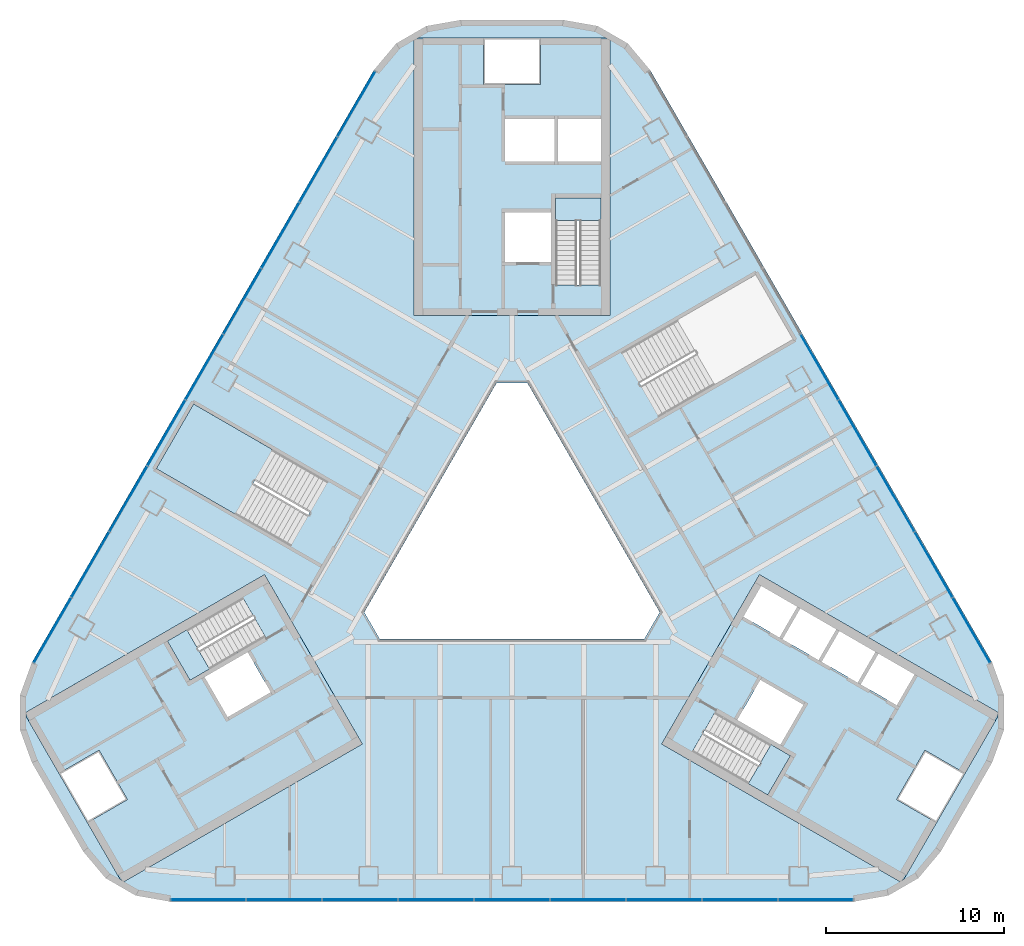
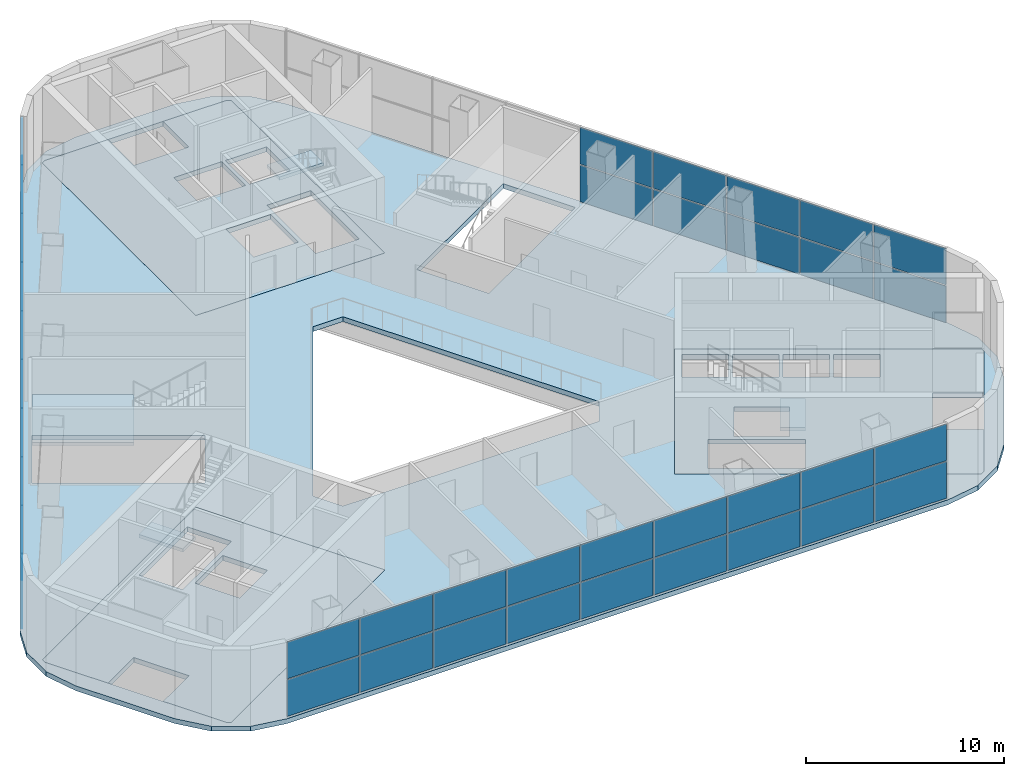
# One storey, part 6 of 13: 46 plates, 8 slabs, 7 elements without a shape of their own.
"""IFC4 building model written with IfcOpenShell, lengths in metres."""

import ifcopenshell
import ifcopenshell.guid

model = None  # the IFC model being written
_history = None  # IfcOwnerHistory: only IFC2X3 demands one
_inside = {}  # id of a spatial element -> (the spatial element, [elements in it])
_under = {}  # id of a project, library or spatial element -> (it, [spatial elements below it])
_declared = {}  # id of a project -> (the project, [libraries it declares])
_typed = {}  # id of a type object -> (the type object, [elements of that type])
_made_of = {}  # id of a material, layer set ... -> (it, [elements and type objects made of it])


def new_model(schema):
    """Start an empty IFC model of exactly this schema.

    Asked for "IFC4X3", IfcOpenShell would pick the latest addendum, in which some entities
    have other attributes; the version numbers below select the first issue.
    IFC2X3 requires an IfcOwnerHistory on every rooted entity: one is made here for all.
    """
    global model, _history
    if schema == "IFC4X3":
        model = ifcopenshell.file(schema_version=(4, 3, 0, 0))
    else:
        model = ifcopenshell.file(schema=schema)
    _inside.clear()
    _under.clear()
    _declared.clear()
    _typed.clear()
    _made_of.clear()
    _history = None
    if model.schema == "IFC2X3":
        org = make("IfcOrganization", Name="unknown")
        user = make(
            "IfcPersonAndOrganization",
            ThePerson=make("IfcPerson", FamilyName="unknown"),
            TheOrganization=org,
        )
        app = make(
            "IfcApplication",
            ApplicationDeveloper=org,
            Version="unknown",
            ApplicationFullName="unknown",
            ApplicationIdentifier="unknown",
        )
        _history = make(
            "IfcOwnerHistory",
            OwningUser=user,
            OwningApplication=app,
            ChangeAction="ADDED",
            CreationDate=0,
        )
    return model


def make(cls, **values):
    """One entity of the class cls with the attributes given. An attribute that is None is left unset."""
    return model.create_entity(
        cls, **{name: value for name, value in values.items() if value is not None}
    )


def rooted(cls, **values):
    """An entity with a GlobalId (a new one), such as an element, a storey or a relation."""
    return make(cls, GlobalId=ifcopenshell.guid.new(), OwnerHistory=_history, **values)


def si_unit(unit_type, name, prefix=None):
    """IfcSIUnit, for example si_unit("LENGTHUNIT", "METRE", prefix="MILLI")."""
    return make("IfcSIUnit", UnitType=unit_type, Prefix=prefix, Name=name)


def assignment(units):
    """IfcUnitAssignment: the units of a project."""
    return None if units is None else make("IfcUnitAssignment", Units=units)


def point(xyz):
    """IfcCartesianPoint."""
    return None if xyz is None else make("IfcCartesianPoint", Coordinates=xyz)


def direction(xyz):
    """IfcDirection."""
    return None if xyz is None else make("IfcDirection", DirectionRatios=xyz)


def frame(location, z_axis=None, x_axis=None):
    """IfcAxis2Placement3D, a coordinate frame: its origin and axes. An axis left out is left unset."""
    return make(
        "IfcAxis2Placement3D",
        Location=point(location),
        Axis=direction(z_axis),
        RefDirection=direction(x_axis),
    )


def frame_2d(location, x_axis=None):
    """IfcAxis2Placement2D, a coordinate frame in the plane: its origin and x axis."""
    return make(
        "IfcAxis2Placement2D", Location=point(location), RefDirection=direction(x_axis)
    )


def origin():
    """The frame at (0, 0, 0) with its axes left unset."""
    return frame((0.0, 0.0, 0.0))


def origin_2d():
    """The frame at (0, 0) in the plane with its x axis left unset."""
    return frame_2d((0.0, 0.0))


def place(relative_to, where):
    """IfcLocalPlacement: puts the frame where relative to a parent placement (None: the world)."""
    return make(
        "IfcLocalPlacement", PlacementRelTo=relative_to, RelativePlacement=where
    )


def context(
    kind, dimensions, precision=None, world=None, true_north=None, identifier=None
):
    """IfcGeometricRepresentationContext, for example the 3D "Model" context."""
    return make(
        "IfcGeometricRepresentationContext",
        ContextIdentifier=identifier,
        ContextType=kind,
        CoordinateSpaceDimension=dimensions,
        Precision=precision,
        WorldCoordinateSystem=world,
        TrueNorth=true_north,
    )


def subcontext(parent, identifier, kind, view, scale=None):
    """IfcGeometricRepresentationSubContext, for example "Body" below "Model"."""
    return make(
        "IfcGeometricRepresentationSubContext",
        ContextIdentifier=identifier,
        ContextType=kind,
        ParentContext=parent,
        TargetScale=scale,
        TargetView=view,
    )


def project(units=None, contexts=None):
    """IfcProject with its units and contexts."""
    return rooted(
        "IfcProject",
        Name="project",
        RepresentationContexts=contexts,
        UnitsInContext=assignment(units),
    )


def spatial(cls, under=None, at=None, **own):
    """A site, building, storey or space (cls), placed at a placement, below another one or the project."""
    s = rooted(cls, ObjectPlacement=at, **own)
    if under is not None:
        _under.setdefault(under.id(), (under, []))[1].append(s)
    return s


def polyline(points):
    """IfcPolyline through the points."""
    return make("IfcPolyline", Points=[point(p) for p in points])


def profile(cls, at=None, kind="AREA", **sizes):
    """A parametric profile (cls). Its sizes go by their IFC names, for example OverallWidth=200.0."""
    return make(cls, ProfileType=kind, Position=at, **sizes)


def rectangle(**sizes):
    """IfcRectangleProfileDef."""
    return profile("IfcRectangleProfileDef", **sizes)


def outline(outer, holes=None, kind="AREA"):
    """IfcArbitraryClosedProfileDef: a profile drawn as a closed curve; with holes, ...WithVoids."""
    if holes is None:
        return make("IfcArbitraryClosedProfileDef", ProfileType=kind, OuterCurve=outer)
    return make(
        "IfcArbitraryProfileDefWithVoids",
        ProfileType=kind,
        OuterCurve=outer,
        InnerCurves=holes,
    )


def extrude(swept, where, along, depth):
    """IfcExtrudedAreaSolid: the profile swept, set in the frame where, extruded along a direction by depth."""
    return make(
        "IfcExtrudedAreaSolid",
        SweptArea=swept,
        Position=where,
        ExtrudedDirection=direction(along),
        Depth=depth,
    )


def shape(context_of_items, identifier, shape_type, items):
    """IfcShapeRepresentation: the items that make up one representation, for example the "Body"."""
    return make(
        "IfcShapeRepresentation",
        ContextOfItems=context_of_items,
        RepresentationIdentifier=identifier,
        RepresentationType=shape_type,
        Items=items,
    )


def material(Name=None, Category=None):
    """IfcMaterial."""
    return make("IfcMaterial", Name=Name, Category=Category)


def layer(
    of_material, thickness, ventilated=None, Name=None, Category=None, Priority=None
):
    """IfcMaterialLayer: one layer of a wall or slab, of a material (None: an air gap)."""
    return make(
        "IfcMaterialLayer",
        Material=of_material,
        LayerThickness=thickness,
        IsVentilated=ventilated,
        Name=Name,
        Category=Category,
        Priority=Priority,
    )


def layer_set(layers, Name=None):
    """IfcMaterialLayerSet."""
    return make("IfcMaterialLayerSet", MaterialLayers=layers, LayerSetName=Name)


def made_of(thing, what):
    """Note that an element or type object is made of a material, layer set ...; save() writes the relation."""
    if what is not None:
        _made_of.setdefault(what.id(), (what, []))[1].append(thing)
    return thing


def type_object(cls, material=None, **own):
    """A type object (cls), such as IfcWallType, which elements share."""
    return made_of(rooted(cls, **own), material)


def element(
    cls,
    number,
    at=None,
    inside=None,
    cuts=None,
    type_object=None,
    material=None,
    context=None,
    identifier="Body",
    shape_type=None,
    held_by="IfcProductDefinitionShape",
    body=None,
    shapes=None,
    **own,
):
    """One element of the class cls, such as IfcWall. Its Tag is "e" and its number.

    at: its placement. inside: the storey or other place that contains it. cuts: it is an
    opening in that element (IfcRelVoidsElement). A single representation is given by context,
    identifier, shape_type and body (its items); several are given by shapes. held_by: the class
    of the entity that holds the representations. save() writes the other relations.
    """
    e = rooted(cls, Tag="e%d" % number, ObjectPlacement=at, **own)
    if body is not None:
        shapes = [shape(context, identifier, shape_type, body)]
    if shapes is not None:
        e.Representation = make(held_by, Representations=shapes)
    if inside is not None:
        _inside.setdefault(inside.id(), (inside, []))[1].append(e)
    if cuts is not None:
        rooted(
            "IfcRelVoidsElement", RelatingBuildingElement=cuts, RelatedOpeningElement=e
        )
    if type_object is not None:
        _typed.setdefault(type_object.id(), (type_object, []))[1].append(e)
    return made_of(e, material)


def aggregate(whole, parts):
    """IfcRelAggregates: a whole, such as a stair, and the parts it consists of."""
    return rooted("IfcRelAggregates", RelatingObject=whole, RelatedObjects=parts)


def save(model, path):
    """Write the relations noted so far, then the file.

    IfcRelAggregates (storeys below a building ...), IfcRelContainedInSpatialStructure (elements
    in a storey), IfcRelDefinesByType, IfcRelAssociatesMaterial and IfcRelDeclares: one each for
    every whole, place, type object, material and project.
    """
    for whole, parts in _under.values():
        aggregate(whole, parts)
    for where, things in _inside.values():
        rooted(
            "IfcRelContainedInSpatialStructure",
            RelatedElements=things,
            RelatingStructure=where,
        )
    for kind, things in _typed.values():
        rooted("IfcRelDefinesByType", RelatedObjects=things, RelatingType=kind)
    for what, things in _made_of.values():
        rooted("IfcRelAssociatesMaterial", RelatedObjects=things, RelatingMaterial=what)
    for by, libraries in _declared.values():
        rooted("IfcRelDeclares", RelatingContext=by, RelatedDefinitions=libraries)
    model.write(path)


model = new_model("IFC4")

# Units and contexts
model_context = context("Model", 3, precision=1e-05, world=origin(), true_north=direction((0.0, 1.0)))
body_context = subcontext(model_context, "Body", "Model", "MODEL_VIEW")
ifc_project = project(units=[si_unit("LENGTHUNIT", "METRE"), si_unit("AREAUNIT", "SQUARE_METRE"), si_unit("VOLUMEUNIT", "CUBIC_METRE"), si_unit("PLANEANGLEUNIT", "RADIAN"), si_unit("MASSUNIT", "GRAM", prefix="KILO")], contexts=[model_context])

# Site, building, storey
site_placement = place(None, origin())
site = spatial("IfcSite", under=ifc_project, at=site_placement, CompositionType="ELEMENT")
building_placement = place(site_placement, origin())
building = spatial("IfcBuilding", under=site, at=building_placement, Name="Apuvela Tower Hotel", CompositionType="ELEMENT")
storey_placement = place(building_placement, frame((0.0, 0.0, 23.5)))
storey = spatial("IfcBuildingStorey", under=building, at=storey_placement, Name="L03", CompositionType="ELEMENT", Elevation=23.5)

# Slabs
ifc_material_1 = material(Name="Concrete C50/60", Category="concrete")
ifc_layer_1 = layer(ifc_material_1, 0.300048828125)
ifc_layer_set_1 = layer_set([ifc_layer_1], Name="COR-FLOOR-300")
slab_type_1 = type_object("IfcSlabType", Name="COR-FLOOR-300", PredefinedType="FLOOR", material=ifc_layer_set_1)
slab_1_placement = place(storey_placement, frame((0.0, 0.0, -0.300048828125)))
element("IfcSlab", 1, at=slab_1_placement, inside=storey, type_object=slab_type_1, Name="Core floor N", PredefinedType="FLOOR", context=body_context, shape_type="SweptSolid", body=[
    extrude(outline(polyline([(5.5, 28.378173828125), (5.288818359375, 28.5), (1.60009765625, 28.5), (1.60009765625, 25.89990234375), (-1.60009765625, 25.89990234375), (-1.60009765625, 28.5), (-5.288818359375, 28.5), (-5.5, 28.378173828125), (-5.5, 12.89990234375), (5.5, 12.89990234375), (5.5, 28.378173828125)]), holes=[polyline([(5.0, 14.60595703125), (2.449951171875, 14.60595703125), (2.449951171875, 19.5), (5.0, 19.5), (5.0, 14.60595703125)]), polyline([(2.199951171875, 15.89990234375), (-0.39990234375, 15.89990234375), (-0.39990234375, 18.699951171875), (2.199951171875, 18.699951171875), (2.199951171875, 15.89990234375)]), polyline([(5.0, 21.550048828125), (2.60009765625, 21.550048828125), (2.60009765625, 23.949951171875), (5.0, 23.949951171875), (5.0, 21.550048828125)]), polyline([(2.39990234375, 21.550048828125), (-0.39990234375, 21.550048828125), (-0.39990234375, 23.949951171875), (2.39990234375, 23.949951171875), (2.39990234375, 21.550048828125)])]), origin(), (0.0, 0.0, 1.0), 0.300048828125),
])
slab_2_placement = place(storey_placement, frame((0.0, 0.0, -0.300048828125)))
element("IfcSlab", 2, at=slab_2_placement, inside=storey, type_object=slab_type_1, Name="Core floor SW", PredefinedType="FLOOR", context=body_context, shape_type="SweptSolid", body=[
    extrude(outline(polyline([(-27.326171875, -9.42578125), (-27.326171875, -9.669677734375), (-25.481689453125, -12.864501953125), (-23.22998046875, -11.564453125), (-21.630126953125, -14.335693359375), (-23.881591796875, -15.635498046875), (-22.037353515625, -18.830322265625), (-21.826171875, -18.9521484375), (-8.421630859375, -11.213134765625), (-13.921630859375, -1.68701171875), (-27.326171875, -9.42578125)]), holes=[polyline([(-13.874267578125, -5.18115234375), (-18.112548828125, -7.628173828125), (-19.387451171875, -5.419921875), (-15.149169921875, -2.972900390625), (-13.874267578125, -5.18115234375)]), polyline([(-13.56982421875, -8.29638671875), (-15.99462890625, -9.6962890625), (-17.294677734375, -7.444580078125), (-14.869873046875, -6.044677734375), (-13.56982421875, -8.29638671875)])]), origin(), (0.0, 0.0, 1.0), 0.300048828125),
])
slab_3_placement = place(storey_placement, frame((0.0, 0.0, -0.300048828125)))
element("IfcSlab", 3, at=slab_3_placement, inside=storey, type_object=slab_type_1, Name="Core floor SE", PredefinedType="FLOOR", context=body_context, shape_type="SweptSolid", body=[
    extrude(outline(polyline([(21.826171875, -18.9521484375), (22.037353515625, -18.830322265625), (23.881591796875, -15.635498046875), (21.630126953125, -14.335693359375), (23.22998046875, -11.564453125), (25.481689453125, -12.864501953125), (27.326171875, -9.669677734375), (27.326171875, -9.42578125), (13.921630859375, -1.68701171875), (8.421630859375, -11.213134765625), (21.826171875, -18.9521484375)]), holes=[polyline([(13.01806640625, -4.052001953125), (14.01806640625, -2.31982421875), (16.044677734375, -3.489990234375), (15.044677734375, -5.221923828125), (13.01806640625, -4.052001953125)]), polyline([(17.244384765625, -6.491943359375), (15.2177734375, -5.322021484375), (16.2177734375, -3.58984375), (18.244384765625, -4.760009765625), (17.244384765625, -6.491943359375)]), polyline([(14.387451171875, -14.080078125), (10.149169921875, -11.633056640625), (11.42431640625, -9.4248046875), (15.66259765625, -11.871826171875), (14.387451171875, -14.080078125)]), polyline([(12.669921875, -9.855224609375), (13.9697265625, -7.603515625), (16.394775390625, -9.003662109375), (15.0947265625, -11.25537109375), (12.669921875, -9.855224609375)]), polyline([(19.444091796875, -7.761962890625), (17.41748046875, -6.591796875), (18.41748046875, -4.85986328125), (20.444091796875, -6.02978515625), (19.444091796875, -7.761962890625)]), polyline([(21.643798828125, -9.031982421875), (19.6171875, -7.86181640625), (20.6171875, -6.1298828125), (22.643798828125, -7.2998046875), (21.643798828125, -9.031982421875)])]), origin(), (0.0, 0.0, 1.0), 0.300048828125),
])

# Stair, slab
stair_type_1 = type_object("IfcStairType", Name="COR-STAIR-28R", PredefinedType="HALF_TURN_STAIR", material=ifc_material_1)
stair_1_placement = place(storey_placement, origin())
stair_1 = element("IfcStair", 4, at=stair_1_placement, inside=storey, type_object=stair_type_1, Name="L03 Exit stair ST1", PredefinedType="HALF_TURN_STAIR")
ifc_layer_2 = layer(ifc_material_1, 0.199951171875)
ifc_layer_set_2 = layer_set([ifc_layer_2], Name="COR-LANDING-200")
slab_type_2 = type_object("IfcSlabType", Name="COR-LANDING-200", PredefinedType="LANDING", material=ifc_layer_set_2)
slab_4_placement = place(storey_placement, frame((0.0, 0.0, 2.300048828125)))
slab_4 = element("IfcSlab", 5, at=slab_4_placement, type_object=slab_type_2, Name="ST1 landing 1", PredefinedType="LANDING", context=body_context, shape_type="SweptSolid", body=[
    extrude(outline(polyline([(5.0, 18.23388671875), (5.0, 19.5), (2.449951171875, 19.5), (2.449951171875, 18.23388671875), (5.0, 18.23388671875)])), origin(), (0.0, 0.0, 1.0), 0.199951171875),
])
aggregate(stair_1, [slab_4])

stair_2_placement = place(storey_placement, origin())
stair_2 = element("IfcStair", 6, at=stair_2_placement, inside=storey, type_object=stair_type_1, Name="L03 Exit stair ST2", PredefinedType="HALF_TURN_STAIR")
slab_5_placement = place(storey_placement, frame((0.0, 0.0, 2.300048828125)))
slab_5 = element("IfcSlab", 7, at=slab_5_placement, type_object=slab_type_2, Name="ST2 landing 1", PredefinedType="LANDING", context=body_context, shape_type="SweptSolid", body=[
    extrude(outline(polyline([(-18.291015625, -4.786865234375), (-19.387451171875, -5.419921875), (-18.112548828125, -7.628173828125), (-17.01611328125, -6.9951171875), (-18.291015625, -4.786865234375)])), origin(), (0.0, 0.0, 1.0), 0.199951171875),
])
aggregate(stair_2, [slab_5])

stair_3_placement = place(storey_placement, origin())
stair_3 = element("IfcStair", 8, at=stair_3_placement, inside=storey, type_object=stair_type_1, Name="L03 Exit stair ST3", PredefinedType="HALF_TURN_STAIR")
slab_6_placement = place(storey_placement, frame((0.0, 0.0, 2.300048828125)))
slab_6 = element("IfcSlab", 9, at=slab_6_placement, type_object=slab_type_2, Name="ST3 landing 1", PredefinedType="LANDING", context=body_context, shape_type="SweptSolid", body=[
    extrude(outline(polyline([(13.291015625, -13.447021484375), (14.387451171875, -14.080078125), (15.66259765625, -11.871826171875), (14.566162109375, -11.23876953125), (13.291015625, -13.447021484375)])), origin(), (0.0, 0.0, 1.0), 0.199951171875),
])
aggregate(stair_3, [slab_6])

# Curtain wall, plates
ifc_material_2 = material(Name="Aluminium 6063-T6, dark bronze anodised", Category="aluminium")
ifc_layer_3 = layer(ifc_material_2, 0.199951171875)
ifc_layer_set_3 = layer_set([ifc_layer_3], Name="ENV-CW-P")
curtain_wall_type = type_object("IfcCurtainWallType", Name="ENV-CW-P", PredefinedType="NOTDEFINED", material=ifc_layer_set_3)
curtain_wall_1_placement = place(storey_placement, origin())
curtain_wall_1 = element("IfcCurtainWall", 10, at=curtain_wall_1_placement, inside=storey, type_object=curtain_wall_type, Name="Curtain wall CW-P S L03", PredefinedType="NOTDEFINED")
ifc_material_3 = material(Name="Glass, dark tinted laminated insulated glazing unit", Category="glass")
ifc_layer_4 = layer(ifc_material_3, 0.0400390625)
ifc_layer_set_4 = layer_set([ifc_layer_4], Name="ENV-PANEL-IGU-40")
plate_type = type_object("IfcPlateType", Name="ENV-PANEL-IGU-40", PredefinedType="CURTAIN_PANEL", material=ifc_layer_set_4)
plate_1_placement = place(storey_placement, frame((-17.089111328125, -19.97607421875, 0.06494140625), z_axis=(0.0, 0.0, 1.0), x_axis=(1.0, 0.0, 0.0)))
plate_1 = element("IfcPlate", 11, at=plate_1_placement, type_object=plate_type, Name="CW-P panel 1.1", PredefinedType="CURTAIN_PANEL", context=body_context, shape_type="SweptSolid", body=[
    extrude(rectangle(XDim=4.1787109375, YDim=0.0400390625, at=origin_2d()), origin(), (0.0, 0.0, 1.0), 2.25244140625),
])
plate_2_placement = place(storey_placement, frame((-17.089111328125, -19.97607421875, 2.382568359375), z_axis=(0.0, 0.0, 1.0), x_axis=(1.0, 0.0, 0.0)))
plate_2 = element("IfcPlate", 12, at=plate_2_placement, type_object=plate_type, Name="CW-P panel 1.2", PredefinedType="CURTAIN_PANEL", context=body_context, shape_type="SweptSolid", body=[
    extrude(rectangle(XDim=4.1787109375, YDim=0.0400390625, at=origin_2d()), origin(), (0.0, 0.0, 1.0), 2.25244140625),
])
plate_3_placement = place(storey_placement, frame((-12.828857421875, -19.97607421875, 0.06494140625), z_axis=(0.0, 0.0, 1.0), x_axis=(1.0, 0.0, 0.0)))
plate_3 = element("IfcPlate", 13, at=plate_3_placement, type_object=plate_type, Name="CW-P panel 2.1", PredefinedType="CURTAIN_PANEL", context=body_context, shape_type="SweptSolid", body=[
    extrude(rectangle(XDim=4.21142578125, YDim=0.0400390625, at=origin_2d()), origin(), (0.0, 0.0, 1.0), 2.25244140625),
])
plate_4_placement = place(storey_placement, frame((-12.828857421875, -19.97607421875, 2.382568359375), z_axis=(0.0, 0.0, 1.0), x_axis=(1.0, 0.0, 0.0)))
plate_4 = element("IfcPlate", 14, at=plate_4_placement, type_object=plate_type, Name="CW-P panel 2.2", PredefinedType="CURTAIN_PANEL", context=body_context, shape_type="SweptSolid", body=[
    extrude(rectangle(XDim=4.21142578125, YDim=0.0400390625, at=origin_2d()), origin(), (0.0, 0.0, 1.0), 2.25244140625),
])
plate_5_placement = place(storey_placement, frame((-8.552734375, -19.97607421875, 0.06494140625), z_axis=(0.0, 0.0, 1.0), x_axis=(1.0, 0.0, 0.0)))
plate_5 = element("IfcPlate", 15, at=plate_5_placement, type_object=plate_type, Name="CW-P panel 3.1", PredefinedType="CURTAIN_PANEL", context=body_context, shape_type="SweptSolid", body=[
    extrude(rectangle(XDim=4.21142578125, YDim=0.0400390625, at=origin_2d()), origin(), (0.0, 0.0, 1.0), 2.25244140625),
])
plate_6_placement = place(storey_placement, frame((-8.552734375, -19.97607421875, 2.382568359375), z_axis=(0.0, 0.0, 1.0), x_axis=(1.0, 0.0, 0.0)))
plate_6 = element("IfcPlate", 16, at=plate_6_placement, type_object=plate_type, Name="CW-P panel 3.2", PredefinedType="CURTAIN_PANEL", context=body_context, shape_type="SweptSolid", body=[
    extrude(rectangle(XDim=4.21142578125, YDim=0.0400390625, at=origin_2d()), origin(), (0.0, 0.0, 1.0), 2.25244140625),
])
plate_7_placement = place(storey_placement, frame((-4.2763671875, -19.97607421875, 0.06494140625), z_axis=(0.0, 0.0, 1.0), x_axis=(1.0, 0.0, 0.0)))
plate_7 = element("IfcPlate", 17, at=plate_7_placement, type_object=plate_type, Name="CW-P panel 4.1", PredefinedType="CURTAIN_PANEL", context=body_context, shape_type="SweptSolid", body=[
    extrude(rectangle(XDim=4.21142578125, YDim=0.0400390625, at=origin_2d()), origin(), (0.0, 0.0, 1.0), 2.25244140625),
])
plate_8_placement = place(storey_placement, frame((-4.2763671875, -19.97607421875, 2.382568359375), z_axis=(0.0, 0.0, 1.0), x_axis=(1.0, 0.0, 0.0)))
plate_8 = element("IfcPlate", 18, at=plate_8_placement, type_object=plate_type, Name="CW-P panel 4.2", PredefinedType="CURTAIN_PANEL", context=body_context, shape_type="SweptSolid", body=[
    extrude(rectangle(XDim=4.21142578125, YDim=0.0400390625, at=origin_2d()), origin(), (0.0, 0.0, 1.0), 2.25244140625),
])
plate_9_placement = place(storey_placement, frame((0.0, -19.97607421875, 0.06494140625), z_axis=(0.0, 0.0, 1.0), x_axis=(1.0, 0.0, 0.0)))
plate_9 = element("IfcPlate", 19, at=plate_9_placement, type_object=plate_type, Name="CW-P panel 5.1", PredefinedType="CURTAIN_PANEL", context=body_context, shape_type="SweptSolid", body=[
    extrude(rectangle(XDim=4.21142578125, YDim=0.0400390625, at=origin_2d()), origin(), (0.0, 0.0, 1.0), 2.25244140625),
])
plate_10_placement = place(storey_placement, frame((0.0, -19.97607421875, 2.382568359375), z_axis=(0.0, 0.0, 1.0), x_axis=(1.0, 0.0, 0.0)))
plate_10 = element("IfcPlate", 20, at=plate_10_placement, type_object=plate_type, Name="CW-P panel 5.2", PredefinedType="CURTAIN_PANEL", context=body_context, shape_type="SweptSolid", body=[
    extrude(rectangle(XDim=4.21142578125, YDim=0.0400390625, at=origin_2d()), origin(), (0.0, 0.0, 1.0), 2.25244140625),
])
plate_11_placement = place(storey_placement, frame((4.2763671875, -19.97607421875, 0.06494140625), z_axis=(0.0, 0.0, 1.0), x_axis=(1.0, 0.0, 0.0)))
plate_11 = element("IfcPlate", 21, at=plate_11_placement, type_object=plate_type, Name="CW-P panel 6.1", PredefinedType="CURTAIN_PANEL", context=body_context, shape_type="SweptSolid", body=[
    extrude(rectangle(XDim=4.21142578125, YDim=0.0400390625, at=origin_2d()), origin(), (0.0, 0.0, 1.0), 2.25244140625),
])
plate_12_placement = place(storey_placement, frame((4.2763671875, -19.97607421875, 2.382568359375), z_axis=(0.0, 0.0, 1.0), x_axis=(1.0, 0.0, 0.0)))
plate_12 = element("IfcPlate", 22, at=plate_12_placement, type_object=plate_type, Name="CW-P panel 6.2", PredefinedType="CURTAIN_PANEL", context=body_context, shape_type="SweptSolid", body=[
    extrude(rectangle(XDim=4.21142578125, YDim=0.0400390625, at=origin_2d()), origin(), (0.0, 0.0, 1.0), 2.25244140625),
])
plate_13_placement = place(storey_placement, frame((8.552734375, -19.97607421875, 0.06494140625), z_axis=(0.0, 0.0, 1.0), x_axis=(1.0, 0.0, 0.0)))
plate_13 = element("IfcPlate", 23, at=plate_13_placement, type_object=plate_type, Name="CW-P panel 7.1", PredefinedType="CURTAIN_PANEL", context=body_context, shape_type="SweptSolid", body=[
    extrude(rectangle(XDim=4.21142578125, YDim=0.0400390625, at=origin_2d()), origin(), (0.0, 0.0, 1.0), 2.25244140625),
])
plate_14_placement = place(storey_placement, frame((8.552734375, -19.97607421875, 2.382568359375), z_axis=(0.0, 0.0, 1.0), x_axis=(1.0, 0.0, 0.0)))
plate_14 = element("IfcPlate", 24, at=plate_14_placement, type_object=plate_type, Name="CW-P panel 7.2", PredefinedType="CURTAIN_PANEL", context=body_context, shape_type="SweptSolid", body=[
    extrude(rectangle(XDim=4.21142578125, YDim=0.0400390625, at=origin_2d()), origin(), (0.0, 0.0, 1.0), 2.25244140625),
])
plate_15_placement = place(storey_placement, frame((12.828857421875, -19.97607421875, 0.06494140625), z_axis=(0.0, 0.0, 1.0), x_axis=(1.0, 0.0, 0.0)))
plate_15 = element("IfcPlate", 25, at=plate_15_placement, type_object=plate_type, Name="CW-P panel 8.1", PredefinedType="CURTAIN_PANEL", context=body_context, shape_type="SweptSolid", body=[
    extrude(rectangle(XDim=4.21142578125, YDim=0.0400390625, at=origin_2d()), origin(), (0.0, 0.0, 1.0), 2.25244140625),
])
plate_16_placement = place(storey_placement, frame((12.828857421875, -19.97607421875, 2.382568359375), z_axis=(0.0, 0.0, 1.0), x_axis=(1.0, 0.0, 0.0)))
plate_16 = element("IfcPlate", 26, at=plate_16_placement, type_object=plate_type, Name="CW-P panel 8.2", PredefinedType="CURTAIN_PANEL", context=body_context, shape_type="SweptSolid", body=[
    extrude(rectangle(XDim=4.21142578125, YDim=0.0400390625, at=origin_2d()), origin(), (0.0, 0.0, 1.0), 2.25244140625),
])
plate_17_placement = place(storey_placement, frame((17.089111328125, -19.97607421875, 0.06494140625), z_axis=(0.0, 0.0, 1.0), x_axis=(1.0, 0.0, 0.0)))
plate_17 = element("IfcPlate", 27, at=plate_17_placement, type_object=plate_type, Name="CW-P panel 9.1", PredefinedType="CURTAIN_PANEL", context=body_context, shape_type="SweptSolid", body=[
    extrude(rectangle(XDim=4.1787109375, YDim=0.0400390625, at=origin_2d()), origin(), (0.0, 0.0, 1.0), 2.25244140625),
])
plate_18_placement = place(storey_placement, frame((17.089111328125, -19.97607421875, 2.382568359375), z_axis=(0.0, 0.0, 1.0), x_axis=(1.0, 0.0, 0.0)))
plate_18 = element("IfcPlate", 28, at=plate_18_placement, type_object=plate_type, Name="CW-P panel 9.2", PredefinedType="CURTAIN_PANEL", context=body_context, shape_type="SweptSolid", body=[
    extrude(rectangle(XDim=4.1787109375, YDim=0.0400390625, at=origin_2d()), origin(), (0.0, 0.0, 1.0), 2.25244140625),
])
aggregate(curtain_wall_1, [plate_1, plate_2, plate_3, plate_4, plate_5, plate_6, plate_7, plate_8, plate_9, plate_10, plate_11, plate_12, plate_13, plate_14, plate_15, plate_16, plate_17, plate_18])

curtain_wall_2_placement = place(storey_placement, origin())
curtain_wall_2 = element("IfcCurtainWall", 29, at=curtain_wall_2_placement, inside=storey, type_object=curtain_wall_type, Name="Curtain wall CW-P NE L03", PredefinedType="NOTDEFINED")
plate_19_placement = place(storey_placement, frame((25.84423828125, -4.8115234375, 0.06494140625), z_axis=(0.0, 0.0, 1.0), x_axis=(-0.499999699665, 0.866025577183, 0.0)))
plate_19 = element("IfcPlate", 30, at=plate_19_placement, type_object=plate_type, Name="CW-P panel 1.1", PredefinedType="CURTAIN_PANEL", context=body_context, shape_type="SweptSolid", body=[
    extrude(rectangle(XDim=4.1787109375, YDim=0.0400390625, at=origin_2d()), origin(), (0.0, 0.0, 1.0), 2.25244140625),
])
plate_20_placement = place(storey_placement, frame((25.84423828125, -4.8115234375, 2.382568359375), z_axis=(0.0, 0.0, 1.0), x_axis=(-0.499999699665, 0.866025577183, 0.0)))
plate_20 = element("IfcPlate", 31, at=plate_20_placement, type_object=plate_type, Name="CW-P panel 1.2", PredefinedType="CURTAIN_PANEL", context=body_context, shape_type="SweptSolid", body=[
    extrude(rectangle(XDim=4.1787109375, YDim=0.0400390625, at=origin_2d()), origin(), (0.0, 0.0, 1.0), 2.25244140625),
])
plate_21_placement = place(storey_placement, frame((23.714111328125, -1.1220703125, 0.06494140625), z_axis=(0.0, 0.0, 1.0), x_axis=(-0.499999699665, 0.866025577183, 0.0)))
plate_21 = element("IfcPlate", 32, at=plate_21_placement, type_object=plate_type, Name="CW-P panel 2.1", PredefinedType="CURTAIN_PANEL", context=body_context, shape_type="SweptSolid", body=[
    extrude(rectangle(XDim=4.211181640625, YDim=0.0400390625, at=origin_2d()), origin(), (0.0, 0.0, 1.0), 2.25244140625),
])
plate_22_placement = place(storey_placement, frame((23.714111328125, -1.1220703125, 2.382568359375), z_axis=(0.0, 0.0, 1.0), x_axis=(-0.499999699665, 0.866025577183, 0.0)))
plate_22 = element("IfcPlate", 33, at=plate_22_placement, type_object=plate_type, Name="CW-P panel 2.2", PredefinedType="CURTAIN_PANEL", context=body_context, shape_type="SweptSolid", body=[
    extrude(rectangle(XDim=4.211181640625, YDim=0.0400390625, at=origin_2d()), origin(), (0.0, 0.0, 1.0), 2.25244140625),
])
plate_23_placement = place(storey_placement, frame((21.575927734375, 2.581298828125, 0.06494140625), z_axis=(0.0, 0.0, 1.0), x_axis=(-0.499999699665, 0.866025577183, 0.0)))
plate_23 = element("IfcPlate", 34, at=plate_23_placement, type_object=plate_type, Name="CW-P panel 3.1", PredefinedType="CURTAIN_PANEL", context=body_context, shape_type="SweptSolid", body=[
    extrude(rectangle(XDim=4.211181640625, YDim=0.0400390625, at=origin_2d()), origin(), (0.0, 0.0, 1.0), 2.25244140625),
])
plate_24_placement = place(storey_placement, frame((21.575927734375, 2.581298828125, 2.382568359375), z_axis=(0.0, 0.0, 1.0), x_axis=(-0.499999699665, 0.866025577183, 0.0)))
plate_24 = element("IfcPlate", 35, at=plate_24_placement, type_object=plate_type, Name="CW-P panel 3.2", PredefinedType="CURTAIN_PANEL", context=body_context, shape_type="SweptSolid", body=[
    extrude(rectangle(XDim=4.211181640625, YDim=0.0400390625, at=origin_2d()), origin(), (0.0, 0.0, 1.0), 2.25244140625),
])
plate_25_placement = place(storey_placement, frame((19.43798828125, 6.28466796875, 0.06494140625), z_axis=(0.0, 0.0, 1.0), x_axis=(-0.499999699665, 0.866025577183, 0.0)))
plate_25 = element("IfcPlate", 36, at=plate_25_placement, type_object=plate_type, Name="CW-P panel 4.1", PredefinedType="CURTAIN_PANEL", context=body_context, shape_type="SweptSolid", body=[
    extrude(rectangle(XDim=4.211181640625, YDim=0.0400390625, at=origin_2d()), origin(), (0.0, 0.0, 1.0), 2.25244140625),
])
plate_26_placement = place(storey_placement, frame((19.43798828125, 6.28466796875, 2.382568359375), z_axis=(0.0, 0.0, 1.0), x_axis=(-0.499999699665, 0.866025577183, 0.0)))
plate_26 = element("IfcPlate", 37, at=plate_26_placement, type_object=plate_type, Name="CW-P panel 4.2", PredefinedType="CURTAIN_PANEL", context=body_context, shape_type="SweptSolid", body=[
    extrude(rectangle(XDim=4.211181640625, YDim=0.0400390625, at=origin_2d()), origin(), (0.0, 0.0, 1.0), 2.25244140625),
])
plate_27_placement = place(storey_placement, frame((17.2998046875, 9.988037109375, 0.06494140625), z_axis=(0.0, 0.0, 1.0), x_axis=(-0.499999699665, 0.866025577183, 0.0)))
plate_27 = element("IfcPlate", 38, at=plate_27_placement, type_object=plate_type, Name="CW-P panel 5.1", PredefinedType="CURTAIN_PANEL", context=body_context, shape_type="SweptSolid", body=[
    extrude(rectangle(XDim=4.211181640625, YDim=0.0400390625, at=origin_2d()), origin(), (0.0, 0.0, 1.0), 2.25244140625),
])
plate_28_placement = place(storey_placement, frame((17.2998046875, 9.988037109375, 2.382568359375), z_axis=(0.0, 0.0, 1.0), x_axis=(-0.499999699665, 0.866025577183, 0.0)))
plate_28 = element("IfcPlate", 39, at=plate_28_placement, type_object=plate_type, Name="CW-P panel 5.2", PredefinedType="CURTAIN_PANEL", context=body_context, shape_type="SweptSolid", body=[
    extrude(rectangle(XDim=4.211181640625, YDim=0.0400390625, at=origin_2d()), origin(), (0.0, 0.0, 1.0), 2.25244140625),
])
aggregate(curtain_wall_2, [plate_19, plate_20, plate_21, plate_22, plate_23, plate_24, plate_25, plate_26, plate_27, plate_28])

curtain_wall_3_placement = place(storey_placement, origin())
curtain_wall_3 = element("IfcCurtainWall", 40, at=curtain_wall_3_placement, inside=storey, type_object=curtain_wall_type, Name="Curtain wall CW-P NW L03", PredefinedType="NOTDEFINED")
plate_29_placement = place(storey_placement, frame((-8.75537109375, 24.787353515625, 0.06494140625), z_axis=(0.0, 0.0, 1.0), x_axis=(-0.499999699665, -0.866025577183, 0.0)))
plate_29 = element("IfcPlate", 41, at=plate_29_placement, type_object=plate_type, Name="CW-P panel 1.1", PredefinedType="CURTAIN_PANEL", context=body_context, shape_type="SweptSolid", body=[
    extrude(rectangle(XDim=4.1787109375, YDim=0.0400390625, at=origin_2d()), origin(), (0.0, 0.0, 1.0), 2.25244140625),
])
plate_30_placement = place(storey_placement, frame((-8.75537109375, 24.787353515625, 2.382568359375), z_axis=(0.0, 0.0, 1.0), x_axis=(-0.499999699665, -0.866025577183, 0.0)))
plate_30 = element("IfcPlate", 42, at=plate_30_placement, type_object=plate_type, Name="CW-P panel 1.2", PredefinedType="CURTAIN_PANEL", context=body_context, shape_type="SweptSolid", body=[
    extrude(rectangle(XDim=4.1787109375, YDim=0.0400390625, at=origin_2d()), origin(), (0.0, 0.0, 1.0), 2.25244140625),
])
plate_31_placement = place(storey_placement, frame((-10.88525390625, 21.09814453125, 0.06494140625), z_axis=(0.0, 0.0, 1.0), x_axis=(-0.499999699665, -0.866025577183, 0.0)))
plate_31 = element("IfcPlate", 43, at=plate_31_placement, type_object=plate_type, Name="CW-P panel 2.1", PredefinedType="CURTAIN_PANEL", context=body_context, shape_type="SweptSolid", body=[
    extrude(rectangle(XDim=4.211181640625, YDim=0.0400390625, at=origin_2d()), origin(), (0.0, 0.0, 1.0), 2.25244140625),
])
plate_32_placement = place(storey_placement, frame((-10.88525390625, 21.09814453125, 2.382568359375), z_axis=(0.0, 0.0, 1.0), x_axis=(-0.499999699665, -0.866025577183, 0.0)))
plate_32 = element("IfcPlate", 44, at=plate_32_placement, type_object=plate_type, Name="CW-P panel 2.2", PredefinedType="CURTAIN_PANEL", context=body_context, shape_type="SweptSolid", body=[
    extrude(rectangle(XDim=4.211181640625, YDim=0.0400390625, at=origin_2d()), origin(), (0.0, 0.0, 1.0), 2.25244140625),
])
plate_33_placement = place(storey_placement, frame((-13.0234375, 17.394775390625, 0.06494140625), z_axis=(0.0, 0.0, 1.0), x_axis=(-0.499999699665, -0.866025577183, 0.0)))
plate_33 = element("IfcPlate", 45, at=plate_33_placement, type_object=plate_type, Name="CW-P panel 3.1", PredefinedType="CURTAIN_PANEL", context=body_context, shape_type="SweptSolid", body=[
    extrude(rectangle(XDim=4.211181640625, YDim=0.0400390625, at=origin_2d()), origin(), (0.0, 0.0, 1.0), 2.25244140625),
])
plate_34_placement = place(storey_placement, frame((-13.0234375, 17.394775390625, 2.382568359375), z_axis=(0.0, 0.0, 1.0), x_axis=(-0.499999699665, -0.866025577183, 0.0)))
plate_34 = element("IfcPlate", 46, at=plate_34_placement, type_object=plate_type, Name="CW-P panel 3.2", PredefinedType="CURTAIN_PANEL", context=body_context, shape_type="SweptSolid", body=[
    extrude(rectangle(XDim=4.211181640625, YDim=0.0400390625, at=origin_2d()), origin(), (0.0, 0.0, 1.0), 2.25244140625),
])
plate_35_placement = place(storey_placement, frame((-15.16162109375, 13.69140625, 0.06494140625), z_axis=(0.0, 0.0, 1.0), x_axis=(-0.499999699665, -0.866025577183, 0.0)))
plate_35 = element("IfcPlate", 47, at=plate_35_placement, type_object=plate_type, Name="CW-P panel 4.1", PredefinedType="CURTAIN_PANEL", context=body_context, shape_type="SweptSolid", body=[
    extrude(rectangle(XDim=4.211181640625, YDim=0.0400390625, at=origin_2d()), origin(), (0.0, 0.0, 1.0), 2.25244140625),
])
plate_36_placement = place(storey_placement, frame((-15.16162109375, 13.69140625, 2.382568359375), z_axis=(0.0, 0.0, 1.0), x_axis=(-0.499999699665, -0.866025577183, 0.0)))
plate_36 = element("IfcPlate", 48, at=plate_36_placement, type_object=plate_type, Name="CW-P panel 4.2", PredefinedType="CURTAIN_PANEL", context=body_context, shape_type="SweptSolid", body=[
    extrude(rectangle(XDim=4.211181640625, YDim=0.0400390625, at=origin_2d()), origin(), (0.0, 0.0, 1.0), 2.25244140625),
])
plate_37_placement = place(storey_placement, frame((-17.2998046875, 9.988037109375, 0.06494140625), z_axis=(0.0, 0.0, 1.0), x_axis=(-0.499999699665, -0.866025577183, 0.0)))
plate_37 = element("IfcPlate", 49, at=plate_37_placement, type_object=plate_type, Name="CW-P panel 5.1", PredefinedType="CURTAIN_PANEL", context=body_context, shape_type="SweptSolid", body=[
    extrude(rectangle(XDim=4.211181640625, YDim=0.0400390625, at=origin_2d()), origin(), (0.0, 0.0, 1.0), 2.25244140625),
])
plate_38_placement = place(storey_placement, frame((-17.2998046875, 9.988037109375, 2.382568359375), z_axis=(0.0, 0.0, 1.0), x_axis=(-0.499999699665, -0.866025577183, 0.0)))
plate_38 = element("IfcPlate", 50, at=plate_38_placement, type_object=plate_type, Name="CW-P panel 5.2", PredefinedType="CURTAIN_PANEL", context=body_context, shape_type="SweptSolid", body=[
    extrude(rectangle(XDim=4.211181640625, YDim=0.0400390625, at=origin_2d()), origin(), (0.0, 0.0, 1.0), 2.25244140625),
])
plate_39_placement = place(storey_placement, frame((-19.43798828125, 6.28466796875, 0.06494140625), z_axis=(0.0, 0.0, 1.0), x_axis=(-0.499999699665, -0.866025577183, 0.0)))
plate_39 = element("IfcPlate", 51, at=plate_39_placement, type_object=plate_type, Name="CW-P panel 6.1", PredefinedType="CURTAIN_PANEL", context=body_context, shape_type="SweptSolid", body=[
    extrude(rectangle(XDim=4.211181640625, YDim=0.0400390625, at=origin_2d()), origin(), (0.0, 0.0, 1.0), 2.25244140625),
])
plate_40_placement = place(storey_placement, frame((-19.43798828125, 6.28466796875, 2.382568359375), z_axis=(0.0, 0.0, 1.0), x_axis=(-0.499999699665, -0.866025577183, 0.0)))
plate_40 = element("IfcPlate", 52, at=plate_40_placement, type_object=plate_type, Name="CW-P panel 6.2", PredefinedType="CURTAIN_PANEL", context=body_context, shape_type="SweptSolid", body=[
    extrude(rectangle(XDim=4.211181640625, YDim=0.0400390625, at=origin_2d()), origin(), (0.0, 0.0, 1.0), 2.25244140625),
])
plate_41_placement = place(storey_placement, frame((-21.575927734375, 2.581298828125, 0.06494140625), z_axis=(0.0, 0.0, 1.0), x_axis=(-0.499999699665, -0.866025577183, 0.0)))
plate_41 = element("IfcPlate", 53, at=plate_41_placement, type_object=plate_type, Name="CW-P panel 7.1", PredefinedType="CURTAIN_PANEL", context=body_context, shape_type="SweptSolid", body=[
    extrude(rectangle(XDim=4.211181640625, YDim=0.0400390625, at=origin_2d()), origin(), (0.0, 0.0, 1.0), 2.25244140625),
])
plate_42_placement = place(storey_placement, frame((-21.575927734375, 2.581298828125, 2.382568359375), z_axis=(0.0, 0.0, 1.0), x_axis=(-0.499999699665, -0.866025577183, 0.0)))
plate_42 = element("IfcPlate", 54, at=plate_42_placement, type_object=plate_type, Name="CW-P panel 7.2", PredefinedType="CURTAIN_PANEL", context=body_context, shape_type="SweptSolid", body=[
    extrude(rectangle(XDim=4.211181640625, YDim=0.0400390625, at=origin_2d()), origin(), (0.0, 0.0, 1.0), 2.25244140625),
])
plate_43_placement = place(storey_placement, frame((-23.714111328125, -1.1220703125, 0.06494140625), z_axis=(0.0, 0.0, 1.0), x_axis=(-0.499999699665, -0.866025577183, 0.0)))
plate_43 = element("IfcPlate", 55, at=plate_43_placement, type_object=plate_type, Name="CW-P panel 8.1", PredefinedType="CURTAIN_PANEL", context=body_context, shape_type="SweptSolid", body=[
    extrude(rectangle(XDim=4.211181640625, YDim=0.0400390625, at=origin_2d()), origin(), (0.0, 0.0, 1.0), 2.25244140625),
])
plate_44_placement = place(storey_placement, frame((-23.714111328125, -1.1220703125, 2.382568359375), z_axis=(0.0, 0.0, 1.0), x_axis=(-0.499999699665, -0.866025577183, 0.0)))
plate_44 = element("IfcPlate", 56, at=plate_44_placement, type_object=plate_type, Name="CW-P panel 8.2", PredefinedType="CURTAIN_PANEL", context=body_context, shape_type="SweptSolid", body=[
    extrude(rectangle(XDim=4.211181640625, YDim=0.0400390625, at=origin_2d()), origin(), (0.0, 0.0, 1.0), 2.25244140625),
])
plate_45_placement = place(storey_placement, frame((-25.84423828125, -4.8115234375, 0.06494140625), z_axis=(0.0, 0.0, 1.0), x_axis=(-0.499999699665, -0.866025577183, 0.0)))
plate_45 = element("IfcPlate", 57, at=plate_45_placement, type_object=plate_type, Name="CW-P panel 9.1", PredefinedType="CURTAIN_PANEL", context=body_context, shape_type="SweptSolid", body=[
    extrude(rectangle(XDim=4.1787109375, YDim=0.0400390625, at=origin_2d()), origin(), (0.0, 0.0, 1.0), 2.25244140625),
])
plate_46_placement = place(storey_placement, frame((-25.84423828125, -4.8115234375, 2.382568359375), z_axis=(0.0, 0.0, 1.0), x_axis=(-0.499999699665, -0.866025577183, 0.0)))
plate_46 = element("IfcPlate", 58, at=plate_46_placement, type_object=plate_type, Name="CW-P panel 9.2", PredefinedType="CURTAIN_PANEL", context=body_context, shape_type="SweptSolid", body=[
    extrude(rectangle(XDim=4.1787109375, YDim=0.0400390625, at=origin_2d()), origin(), (0.0, 0.0, 1.0), 2.25244140625),
])
aggregate(curtain_wall_3, [plate_29, plate_30, plate_31, plate_32, plate_33, plate_34, plate_35, plate_36, plate_37, plate_38, plate_39, plate_40, plate_41, plate_42, plate_43, plate_44, plate_45, plate_46])

# Stair, slab
ifc_material_4 = material(Name="Concrete C40/50", Category="concrete")
stair_type_2 = type_object("IfcStairType", Name="SPC-STAIR-PS", PredefinedType="HALF_TURN_STAIR", material=ifc_material_4)
stair_4_placement = place(storey_placement, origin())
stair_4 = element("IfcStair", 59, at=stair_4_placement, inside=storey, type_object=stair_type_2, Name="L03 Protected exit stair PS2", PredefinedType="HALF_TURN_STAIR")
ifc_layer_5 = layer(ifc_material_4, 0.199951171875)
ifc_layer_set_5 = layer_set([ifc_layer_5], Name="SPC-LANDING-PS")
slab_type_3 = type_object("IfcSlabType", Name="SPC-LANDING-PS", PredefinedType="LANDING", material=ifc_layer_set_5)
slab_7_placement = place(storey_placement, frame((0.0, 0.0, 2.300048828125)))
slab_7 = element("IfcSlab", 60, at=slab_7_placement, type_object=slab_type_3, Name="PS2 landing 1", PredefinedType="LANDING", context=body_context, shape_type="SweptSolid", body=[
    extrude(outline(polyline([(-13.46435546875, 5.348876953125), (-17.91162109375, 7.916259765625), (-20.011474609375, 4.279052734375), (-15.564453125, 1.71142578125), (-13.46435546875, 5.348876953125)])), origin(), (0.0, 0.0, 1.0), 0.199951171875),
])
aggregate(stair_4, [slab_7])

# Slab
ifc_material_5 = material(Name="Concrete C35/45", Category="concrete")
ifc_layer_6 = layer(ifc_material_5, 0.300048828125)
ifc_layer_set_6 = layer_set([ifc_layer_6], Name="STR-SLAB 300 floor Concrete C35/45")
slab_type_4 = type_object("IfcSlabType", Name="STR-SLAB 300 floor Concrete C35/45", PredefinedType="FLOOR", material=ifc_layer_set_6)
slab_8_placement = place(storey_placement, frame((0.0, 0.0, -0.300048828125)))
element("IfcSlab", 61, at=slab_8_placement, inside=storey, type_object=slab_type_4, Name="Floor slab S2 L03", PredefinedType="FLOOR", context=body_context, shape_type="SweptSolid", body=[
    extrude(outline(polyline([(7.7646484375, 26.703125), (6.509033203125, 28.19970703125), (4.817138671875, 29.176513671875), (2.893310546875, 29.515625), (-2.893310546875, 29.515625), (-4.817138671875, 29.176513671875), (-6.509033203125, 28.19970703125), (-7.7646484375, 26.703125), (-27.008056640625, -6.627197265625), (-27.67626953125, -8.462890625), (-27.67626953125, -10.41650390625), (-27.008056640625, -12.252197265625), (-24.11474609375, -17.263427734375), (-22.85888671875, -18.760009765625), (-21.167236328125, -19.73681640625), (-19.243408203125, -20.075927734375), (19.243408203125, -20.075927734375), (21.167236328125, -19.73681640625), (22.85888671875, -18.760009765625), (24.11474609375, -17.263427734375), (27.008056640625, -12.252197265625), (27.67626953125, -10.41650390625), (27.67626953125, -8.462890625), (27.008056640625, -6.627197265625), (7.7646484375, 26.703125)]), holes=[polyline([(0.865966796875, 9.10009765625), (-0.865966796875, 9.10009765625), (-8.313720703125, -3.800048828125), (-7.44775390625, -5.300048828125), (7.44775390625, -5.300048828125), (8.313720703125, -3.800048828125), (0.865966796875, 9.10009765625)]), polyline([(-5.5, 12.89990234375), (-5.5, 28.378173828125), (-5.288818359375, 28.5), (5.288818359375, 28.5), (5.5, 28.378173828125), (5.5, 12.89990234375), (-5.5, 12.89990234375)]), polyline([(-8.421630859375, -11.213134765625), (-21.826171875, -18.9521484375), (-22.037353515625, -18.830322265625), (-27.326171875, -9.669677734375), (-27.326171875, -9.42578125), (-13.921630859375, -1.68701171875), (-8.421630859375, -11.213134765625)]), polyline([(13.921630859375, -1.68701171875), (27.326171875, -9.42578125), (27.326171875, -9.669677734375), (22.037353515625, -18.830322265625), (21.826171875, -18.9521484375), (8.421630859375, -11.213134765625), (13.921630859375, -1.68701171875)]), polyline([(8.26416015625, 7.1962890625), (6.1640625, 10.83349609375), (13.71142578125, 15.19091796875), (15.8115234375, 11.5537109375), (8.26416015625, 7.1962890625)]), polyline([(-12.464111328125, -0.07861328125), (-20.011474609375, 4.279052734375), (-17.91162109375, 7.916259765625), (-10.364013671875, 3.558837890625), (-12.464111328125, -0.07861328125)])]), origin(), (0.0, 0.0, 1.0), 0.300048828125),
])

save(model, "model.ifc")
